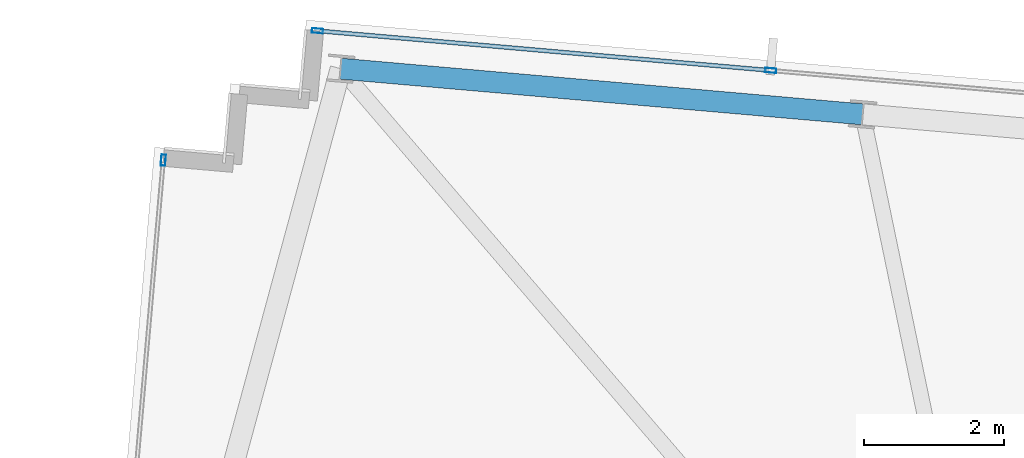
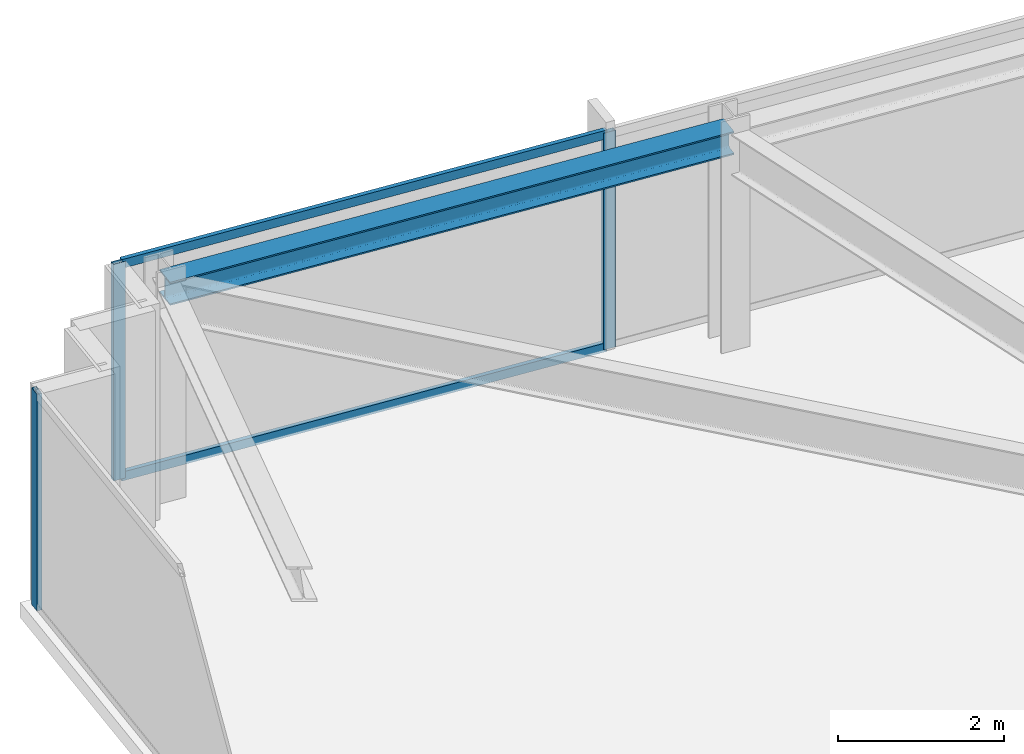
# One storey, part 23 of 32: 5 members, 1 beam, 2 elements without a shape of their own.
"""IFC4 building model written with IfcOpenShell, lengths in metres."""

import ifcopenshell
import ifcopenshell.guid

model = None  # the IFC model being written
_history = None  # IfcOwnerHistory: only IFC2X3 demands one
_inside = {}  # id of a spatial element -> (the spatial element, [elements in it])
_under = {}  # id of a project, library or spatial element -> (it, [spatial elements below it])
_declared = {}  # id of a project -> (the project, [libraries it declares])
_typed = {}  # id of a type object -> (the type object, [elements of that type])
_made_of = {}  # id of a material, layer set ... -> (it, [elements and type objects made of it])


def new_model(schema):
    """Start an empty IFC model of exactly this schema.

    Asked for "IFC4X3", IfcOpenShell would pick the latest addendum, in which some entities
    have other attributes; the version numbers below select the first issue.
    IFC2X3 requires an IfcOwnerHistory on every rooted entity: one is made here for all.
    """
    global model, _history
    if schema == "IFC4X3":
        model = ifcopenshell.file(schema_version=(4, 3, 0, 0))
    else:
        model = ifcopenshell.file(schema=schema)
    _inside.clear()
    _under.clear()
    _declared.clear()
    _typed.clear()
    _made_of.clear()
    _history = None
    if model.schema == "IFC2X3":
        org = make("IfcOrganization", Name="unknown")
        user = make(
            "IfcPersonAndOrganization",
            ThePerson=make("IfcPerson", FamilyName="unknown"),
            TheOrganization=org,
        )
        app = make(
            "IfcApplication",
            ApplicationDeveloper=org,
            Version="unknown",
            ApplicationFullName="unknown",
            ApplicationIdentifier="unknown",
        )
        _history = make(
            "IfcOwnerHistory",
            OwningUser=user,
            OwningApplication=app,
            ChangeAction="ADDED",
            CreationDate=0,
        )
    return model


def make(cls, **values):
    """One entity of the class cls with the attributes given. An attribute that is None is left unset."""
    return model.create_entity(
        cls, **{name: value for name, value in values.items() if value is not None}
    )


def rooted(cls, **values):
    """An entity with a GlobalId (a new one), such as an element, a storey or a relation."""
    return make(cls, GlobalId=ifcopenshell.guid.new(), OwnerHistory=_history, **values)


def si_unit(unit_type, name, prefix=None):
    """IfcSIUnit, for example si_unit("LENGTHUNIT", "METRE", prefix="MILLI")."""
    return make("IfcSIUnit", UnitType=unit_type, Prefix=prefix, Name=name)


def assignment(units):
    """IfcUnitAssignment: the units of a project."""
    return None if units is None else make("IfcUnitAssignment", Units=units)


def point(xyz):
    """IfcCartesianPoint."""
    return None if xyz is None else make("IfcCartesianPoint", Coordinates=xyz)


def direction(xyz):
    """IfcDirection."""
    return None if xyz is None else make("IfcDirection", DirectionRatios=xyz)


def frame(location, z_axis=None, x_axis=None):
    """IfcAxis2Placement3D, a coordinate frame: its origin and axes. An axis left out is left unset."""
    return make(
        "IfcAxis2Placement3D",
        Location=point(location),
        Axis=direction(z_axis),
        RefDirection=direction(x_axis),
    )


def frame_2d(location, x_axis=None):
    """IfcAxis2Placement2D, a coordinate frame in the plane: its origin and x axis."""
    return make(
        "IfcAxis2Placement2D", Location=point(location), RefDirection=direction(x_axis)
    )


def origin():
    """The frame at (0, 0, 0) with its axes left unset."""
    return frame((0.0, 0.0, 0.0))


def origin_2d():
    """The frame at (0, 0) in the plane with its x axis left unset."""
    return frame_2d((0.0, 0.0))


def place(relative_to, where):
    """IfcLocalPlacement: puts the frame where relative to a parent placement (None: the world)."""
    return make(
        "IfcLocalPlacement", PlacementRelTo=relative_to, RelativePlacement=where
    )


def context(
    kind, dimensions, precision=None, world=None, true_north=None, identifier=None
):
    """IfcGeometricRepresentationContext, for example the 3D "Model" context."""
    return make(
        "IfcGeometricRepresentationContext",
        ContextIdentifier=identifier,
        ContextType=kind,
        CoordinateSpaceDimension=dimensions,
        Precision=precision,
        WorldCoordinateSystem=world,
        TrueNorth=true_north,
    )


def subcontext(parent, identifier, kind, view, scale=None):
    """IfcGeometricRepresentationSubContext, for example "Body" below "Model"."""
    return make(
        "IfcGeometricRepresentationSubContext",
        ContextIdentifier=identifier,
        ContextType=kind,
        ParentContext=parent,
        TargetScale=scale,
        TargetView=view,
    )


def project(units=None, contexts=None):
    """IfcProject with its units and contexts."""
    return rooted(
        "IfcProject",
        Name="project",
        RepresentationContexts=contexts,
        UnitsInContext=assignment(units),
    )


def spatial(cls, under=None, at=None, **own):
    """A site, building, storey or space (cls), placed at a placement, below another one or the project."""
    s = rooted(cls, ObjectPlacement=at, **own)
    if under is not None:
        _under.setdefault(under.id(), (under, []))[1].append(s)
    return s


def profile(cls, at=None, kind="AREA", **sizes):
    """A parametric profile (cls). Its sizes go by their IFC names, for example OverallWidth=200.0."""
    return make(cls, ProfileType=kind, Position=at, **sizes)


def hollow_rectangle(**sizes):
    """IfcRectangleHollowProfileDef."""
    return profile("IfcRectangleHollowProfileDef", **sizes)


def i_section(**sizes):
    """IfcIShapeProfileDef."""
    return profile("IfcIShapeProfileDef", **sizes)


def extrude(swept, where, along, depth):
    """IfcExtrudedAreaSolid: the profile swept, set in the frame where, extruded along a direction by depth."""
    return make(
        "IfcExtrudedAreaSolid",
        SweptArea=swept,
        Position=where,
        ExtrudedDirection=direction(along),
        Depth=depth,
    )


def shape(context_of_items, identifier, shape_type, items):
    """IfcShapeRepresentation: the items that make up one representation, for example the "Body"."""
    return make(
        "IfcShapeRepresentation",
        ContextOfItems=context_of_items,
        RepresentationIdentifier=identifier,
        RepresentationType=shape_type,
        Items=items,
    )


def material(Name=None, Category=None):
    """IfcMaterial."""
    return make("IfcMaterial", Name=Name, Category=Category)


def material_profile(
    of_material, cross_section, Name=None, Category=None, Priority=None
):
    """IfcMaterialProfile: a cross section and its material."""
    return make(
        "IfcMaterialProfile",
        Name=Name,
        Material=of_material,
        Profile=cross_section,
        Priority=Priority,
        Category=Category,
    )


def profile_set(profiles, Name=None, composite=None):
    """IfcMaterialProfileSet."""
    return make(
        "IfcMaterialProfileSet",
        Name=Name,
        MaterialProfiles=profiles,
        CompositeProfile=composite,
    )


def made_of(thing, what):
    """Note that an element or type object is made of a material, layer set ...; save() writes the relation."""
    if what is not None:
        _made_of.setdefault(what.id(), (what, []))[1].append(thing)
    return thing


def type_object(cls, material=None, **own):
    """A type object (cls), such as IfcWallType, which elements share."""
    return made_of(rooted(cls, **own), material)


def element(
    cls,
    number,
    at=None,
    inside=None,
    cuts=None,
    type_object=None,
    material=None,
    context=None,
    identifier="Body",
    shape_type=None,
    held_by="IfcProductDefinitionShape",
    body=None,
    shapes=None,
    **own,
):
    """One element of the class cls, such as IfcWall. Its Tag is "e" and its number.

    at: its placement. inside: the storey or other place that contains it. cuts: it is an
    opening in that element (IfcRelVoidsElement). A single representation is given by context,
    identifier, shape_type and body (its items); several are given by shapes. held_by: the class
    of the entity that holds the representations. save() writes the other relations.
    """
    e = rooted(cls, Tag="e%d" % number, ObjectPlacement=at, **own)
    if body is not None:
        shapes = [shape(context, identifier, shape_type, body)]
    if shapes is not None:
        e.Representation = make(held_by, Representations=shapes)
    if inside is not None:
        _inside.setdefault(inside.id(), (inside, []))[1].append(e)
    if cuts is not None:
        rooted(
            "IfcRelVoidsElement", RelatingBuildingElement=cuts, RelatedOpeningElement=e
        )
    if type_object is not None:
        _typed.setdefault(type_object.id(), (type_object, []))[1].append(e)
    return made_of(e, material)


def aggregate(whole, parts):
    """IfcRelAggregates: a whole, such as a stair, and the parts it consists of."""
    return rooted("IfcRelAggregates", RelatingObject=whole, RelatedObjects=parts)


def save(model, path):
    """Write the relations noted so far, then the file.

    IfcRelAggregates (storeys below a building ...), IfcRelContainedInSpatialStructure (elements
    in a storey), IfcRelDefinesByType, IfcRelAssociatesMaterial and IfcRelDeclares: one each for
    every whole, place, type object, material and project.
    """
    for whole, parts in _under.values():
        aggregate(whole, parts)
    for where, things in _inside.values():
        rooted(
            "IfcRelContainedInSpatialStructure",
            RelatedElements=things,
            RelatingStructure=where,
        )
    for kind, things in _typed.values():
        rooted("IfcRelDefinesByType", RelatedObjects=things, RelatingType=kind)
    for what, things in _made_of.values():
        rooted("IfcRelAssociatesMaterial", RelatedObjects=things, RelatingMaterial=what)
    for by, libraries in _declared.values():
        rooted("IfcRelDeclares", RelatingContext=by, RelatedDefinitions=libraries)
    model.write(path)


model = new_model("IFC4")

# Units and contexts
model_context = context("Model", 3, precision=1e-05, world=origin(), true_north=direction((0.0, 1.0)))
body_context = subcontext(model_context, "Body", "Model", "MODEL_VIEW")
ifc_project = project(units=[si_unit("LENGTHUNIT", "METRE"), si_unit("AREAUNIT", "SQUARE_METRE"), si_unit("VOLUMEUNIT", "CUBIC_METRE"), si_unit("PLANEANGLEUNIT", "RADIAN"), si_unit("MASSUNIT", "GRAM", prefix="KILO")], contexts=[model_context])

# Site, building, storey
site_placement = place(None, origin())
site = spatial("IfcSite", under=ifc_project, at=site_placement, CompositionType="ELEMENT")
building_placement = place(site_placement, origin())
building = spatial("IfcBuilding", under=site, at=building_placement, Name="Yelkora Congress Tower", CompositionType="ELEMENT")
storey_placement = place(building_placement, frame((0.0, 0.0, 279.5)))
storey = spatial("IfcBuildingStorey", under=building, at=storey_placement, Name="L78", CompositionType="ELEMENT", Elevation=279.5)

# Beam
ifc_material_1 = material(Name="Steel S355J2", Category="steel")
ifc_material_profile_1 = material_profile(ifc_material_1, i_section(OverallWidth=0.300048828125, OverallDepth=0.340087890625, WebThickness=0.011962890625, FlangeThickness=0.021484375, FilletRadius=0.027099609375, at=origin_2d()), Name="HEB 340")
ifc_profile_set_1 = profile_set([ifc_material_profile_1], Name="Steel S355J2")
beam_type = type_object("IfcBeamType", Name="BM-SPAN-HEB340", PredefinedType="SPANDREL", material=ifc_profile_set_1)
beam_placement = place(storey_placement, frame((18.058837890625, 49.231689453125, 3.010009765625), z_axis=(-0.996193186297, 0.08717302092, 0.0), x_axis=(-0.08717302092, -0.996193186297, 0.0)))
element("IfcBeam", 1, at=beam_placement, inside=storey, type_object=beam_type, Name="L78 Perimeter Beam 12", PredefinedType="SPANDREL", context=body_context, shape_type="SweptSolid", body=[
    extrude(i_section(OverallWidth=0.300048828125, OverallDepth=0.340087890625, WebThickness=0.011962890625, FlangeThickness=0.021484375, FilletRadius=0.027099609375, at=origin_2d()), origin(), (0.0, 0.0, 1.0), 7.4833984375),
])

# Curtain wall, member
ifc_material_2 = material(Name="Anodised aluminium and insulated glass", Category="aluminium")
curtain_wall_type = type_object("IfcCurtainWallType", Name="CW-SYS-B5", PredefinedType="NOTDEFINED", material=ifc_material_2)
curtain_wall_1_placement = place(storey_placement, origin())
curtain_wall_1 = element("IfcCurtainWall", 2, at=curtain_wall_1_placement, inside=storey, type_object=curtain_wall_type, Name="L78 Unitised Curtain Wall 5", PredefinedType="NOTDEFINED")
ifc_material_3 = material(Name="Anodised aluminium 6063-T6", Category="aluminium")
ifc_material_profile_2 = material_profile(ifc_material_3, hollow_rectangle(XDim=0.06494140625, YDim=0.159912109375, WallThickness=0.00390625, at=origin_2d()), Name="ALU 65x160x4")
ifc_profile_set_2 = profile_set([ifc_material_profile_2], Name="Anodised aluminium 6063-T6")
member_type_1 = type_object("IfcMemberType", Name="MEM-ML-B5", PredefinedType="MULLION", material=ifc_profile_set_2)
member_1_placement = place(storey_placement, frame((8.070556640625, 48.577392578125, 0.0), z_axis=(0.0, 0.0, 1.0), x_axis=(-0.996194785929, 0.08715473876, 0.0)))
member_1 = element("IfcMember", 3, at=member_1_placement, type_object=member_type_1, Name="CW-B5 mullion 5", PredefinedType="MULLION", context=body_context, shape_type="SweptSolid", body=[
    extrude(hollow_rectangle(XDim=0.06494140625, YDim=0.159912109375, WallThickness=0.00390625, at=origin_2d()), origin(), (0.0, 0.0, 1.0), 3.179931640625),
])
aggregate(curtain_wall_1, [member_1])

# Curtain wall, members
curtain_wall_2_placement = place(storey_placement, origin())
curtain_wall_2 = element("IfcCurtainWall", 4, at=curtain_wall_2_placement, inside=storey, type_object=curtain_wall_type, Name="L78 Unitised Curtain Wall 10", PredefinedType="NOTDEFINED")
member_2_placement = place(storey_placement, frame((10.2724609375, 50.425048828125, 0.0), z_axis=(0.0, 0.0, 1.0), x_axis=(0.087156639893, 0.996194619601, 0.0)))
member_2 = element("IfcMember", 5, at=member_2_placement, type_object=member_type_1, Name="CW-B5 mullion 1", PredefinedType="MULLION", context=body_context, shape_type="SweptSolid", body=[
    extrude(hollow_rectangle(XDim=0.06494140625, YDim=0.159912109375, WallThickness=0.00390625, at=origin_2d()), origin(), (0.0, 0.0, 1.0), 3.179931640625),
])
member_3_placement = place(storey_placement, frame((16.74658203125, 49.858642578125, 0.0), z_axis=(0.0, 0.0, 1.0), x_axis=(0.087156639893, 0.996194619601, 0.0)))
member_3 = element("IfcMember", 6, at=member_3_placement, type_object=member_type_1, Name="CW-B5 mullion 2", PredefinedType="MULLION", context=body_context, shape_type="SweptSolid", body=[
    extrude(hollow_rectangle(XDim=0.06494140625, YDim=0.159912109375, WallThickness=0.00390625, at=origin_2d()), origin(), (0.0, 0.0, 1.0), 3.179931640625),
])
ifc_material_profile_3 = material_profile(ifc_material_3, hollow_rectangle(XDim=0.06005859375, YDim=0.1298828125, WallThickness=0.00390625, at=origin_2d()), Name="ALU 60x130x4")
ifc_profile_set_3 = profile_set([ifc_material_profile_3], Name="Anodised aluminium 6063-T6")
member_type_2 = type_object("IfcMemberType", Name="MEM-TR-B5", PredefinedType="USERDEFINED", material=ifc_profile_set_3)
member_4_placement = place(storey_placement, frame((10.3046875, 50.422119140625, 0.030029296875), z_axis=(0.996194170551, -0.08716177236, 0.0), x_axis=(0.08716177236, 0.996194170551, 0.0)))
member_4 = element("IfcMember", 7, at=member_4_placement, type_object=member_type_2, Name="CW-B5 transom 1.1", ObjectType="TRANSOM", PredefinedType="USERDEFINED", context=body_context, shape_type="SweptSolid", body=[
    extrude(hollow_rectangle(XDim=0.06005859375, YDim=0.1298828125, WallThickness=0.00390625, at=origin_2d()), origin(), (0.0, 0.0, 1.0), 6.433837890625),
])
member_5_placement = place(storey_placement, frame((10.3046875, 50.422119140625, 3.14990234375), z_axis=(0.996194170551, -0.08716177236, 0.0), x_axis=(0.08716177236, 0.996194170551, 0.0)))
member_5 = element("IfcMember", 8, at=member_5_placement, type_object=member_type_2, Name="CW-B5 transom 1.2", ObjectType="TRANSOM", PredefinedType="USERDEFINED", context=body_context, shape_type="SweptSolid", body=[
    extrude(hollow_rectangle(XDim=0.06005859375, YDim=0.1298828125, WallThickness=0.00390625, at=origin_2d()), origin(), (0.0, 0.0, 1.0), 6.433837890625),
])
aggregate(curtain_wall_2, [member_2, member_3, member_4, member_5])

save(model, "model.ifc")
